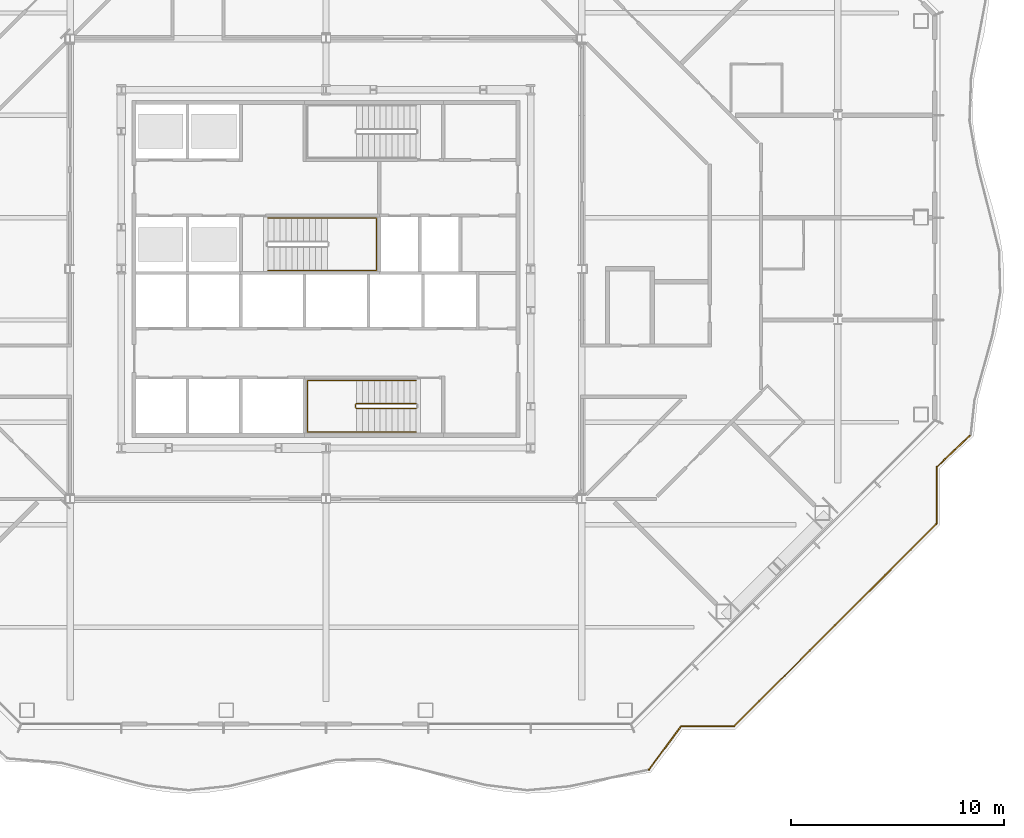
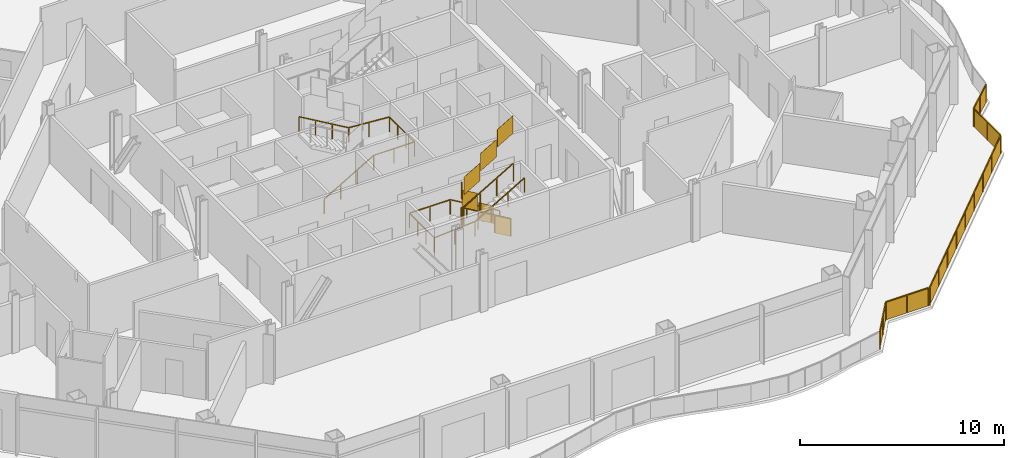
# One storey, part 19 of 24: 8 railings.
"""IFC4 building model written with IfcOpenShell, lengths in metres."""

from ifc_helpers import new_model, si_unit, direction, frame, origin, origin_2d, place, context, subcontext, project, spatial, polyline, rectangle, outline, extrude, material, type_object, element, save


model = new_model("IFC4")

# Units and contexts
model_context = context("Model", 3, precision=1e-05, world=origin(), true_north=direction((0.0, 1.0)))
body_context = subcontext(model_context, "Body", "Model", "MODEL_VIEW")
ifc_project = project(units=[si_unit("LENGTHUNIT", "METRE"), si_unit("AREAUNIT", "SQUARE_METRE"), si_unit("VOLUMEUNIT", "CUBIC_METRE"), si_unit("PLANEANGLEUNIT", "RADIAN"), si_unit("MASSUNIT", "GRAM", prefix="KILO")], contexts=[model_context])

# Site, building, storey
site_placement = place(None, origin())
site = spatial("IfcSite", under=ifc_project, at=site_placement, CompositionType="ELEMENT")
building_placement = place(site_placement, origin())
building = spatial("IfcBuilding", under=site, at=building_placement, Name="Cairn Pilgrim Tower", CompositionType="ELEMENT")
storey_placement = place(building_placement, frame((0.0, 0.0, 125.39990234375)))
storey = spatial("IfcBuildingStorey", under=building, at=storey_placement, Name="L30", CompositionType="ELEMENT", Elevation=125.39990234375)

# Railings
ifc_material_1 = material(Name="Bronze anodised aluminium rail and posts with laminated glass infill", Category="aluminium")
railing_type_1 = type_object("IfcRailingType", Name="BALCONY GUARD 1100", PredefinedType="GUARDRAIL", material=ifc_material_1)
railing_1_placement = place(storey_placement, frame((22.349365234375, -21.0830078125, 0.0)))
element("IfcRailing", 1, at=railing_1_placement, inside=storey, type_object=railing_type_1, Name="Balcony guard BG-1", PredefinedType="GUARDRAIL", context=body_context, shape_type="SweptSolid", body=[
    extrude(rectangle(XDim=0.050048828125, YDim=0.050048828125, at=origin_2d()), frame((0.0, 0.0, 1.0751953125), z_axis=(0.594638505107, 0.803993189177, 0.0), x_axis=(-0.803993189177, 0.594638505107, 0.0)), (0.0, 0.0, 1.0), 2.46875),
    extrude(rectangle(XDim=0.050048828125, YDim=0.050048828125, at=origin_2d()), origin(), (0.0, 0.0, 1.0), 1.050048828125),
    extrude(rectangle(XDim=0.050048828125, YDim=0.050048828125, at=origin_2d()), frame((0.73388671875, 0.992431640625, 0.0)), (0.0, 0.0, 1.0), 1.050048828125),
    extrude(rectangle(XDim=0.050048828125, YDim=0.050048828125, at=origin_2d()), frame((1.468017578125, 1.98486328125, 0.0)), (0.0, 0.0, 1.0), 1.050048828125),
    extrude(outline(polyline([(0.02490234375, 0.0), (1.20947265625, 0.0), (1.20947265625, 1.050048828125), (0.02490234375, 1.050048828125), (0.02490234375, 0.0)])), frame((-0.0048828125, 0.003662109375, 0.0), z_axis=(0.803993189177, -0.594638505107, 0.0), x_axis=(0.594638505107, 0.803993189177, 0.0)), (0.0, 0.0, 1.0), 0.011962890625),
    extrude(outline(polyline([(0.02490234375, 0.0), (1.20947265625, 0.0), (1.20947265625, 1.050048828125), (0.02490234375, 1.050048828125), (0.02490234375, 0.0)])), frame((0.729248046875, 0.99609375, 0.0), z_axis=(0.803993189177, -0.594638505107, 0.0), x_axis=(0.594638505107, 0.803993189177, 0.0)), (0.0, 0.0, 1.0), 0.011962890625),
])
railing_2_placement = place(storey_placement, frame((23.85302734375, -19.050048828125, 0.0)))
element("IfcRailing", 2, at=railing_2_placement, inside=storey, type_object=railing_type_1, Name="Balcony guard BG-2", PredefinedType="GUARDRAIL", context=body_context, shape_type="SweptSolid", body=[
    extrude(rectangle(XDim=0.050048828125, YDim=0.050048828125, at=origin_2d()), frame((0.0, 0.0, 1.0751953125), z_axis=(1.0, 0.0, 0.0), x_axis=(0.0, 1.0, 0.0)), (0.0, 0.0, 1.0), 2.4248046875),
    extrude(rectangle(XDim=0.050048828125, YDim=0.050048828125, at=origin_2d()), origin(), (0.0, 0.0, 1.0), 1.050048828125),
    extrude(rectangle(XDim=0.050048828125, YDim=0.050048828125, at=origin_2d()), frame((1.21240234375, 0.0, 0.0)), (0.0, 0.0, 1.0), 1.050048828125),
    extrude(rectangle(XDim=0.050048828125, YDim=0.050048828125, at=origin_2d()), frame((2.4248046875, 0.0, 0.0)), (0.0, 0.0, 1.0), 1.050048828125),
    extrude(outline(polyline([(0.02490234375, 0.0), (1.1875, 0.0), (1.1875, 1.050048828125), (0.02490234375, 1.050048828125), (0.02490234375, 0.0)])), frame((0.0, 0.005859375, 0.0), z_axis=(0.0, -1.0, 0.0), x_axis=(1.0, 0.0, 0.0)), (0.0, 0.0, 1.0), 0.011962890625),
    extrude(outline(polyline([(0.02490234375, 0.0), (1.1875, 0.0), (1.1875, 1.050048828125), (0.02490234375, 1.050048828125), (0.02490234375, 0.0)])), frame((1.21240234375, 0.005859375, 0.0), z_axis=(0.0, -1.0, 0.0), x_axis=(1.0, 0.0, 0.0)), (0.0, 0.0, 1.0), 0.011962890625),
])
railing_3_placement = place(storey_placement, frame((26.337890625, -19.050048828125, 0.0)))
element("IfcRailing", 3, at=railing_3_placement, inside=storey, type_object=railing_type_1, Name="Balcony guard BG-3", PredefinedType="GUARDRAIL", context=body_context, shape_type="SweptSolid", body=[
    extrude(rectangle(XDim=0.050048828125, YDim=0.050048828125, at=origin_2d()), frame((0.0, 0.0, 1.0751953125), z_axis=(0.707106781187, 0.707106781187, 0.0), x_axis=(-0.707106781187, 0.707106781187, 0.0)), (0.0, 0.0, 1.0), 13.392333984375),
    extrude(rectangle(XDim=0.050048828125, YDim=0.050048828125, at=origin_2d()), origin(), (0.0, 0.0, 1.0), 1.050048828125),
    extrude(rectangle(XDim=0.050048828125, YDim=0.050048828125, at=origin_2d()), frame((1.18359375, 1.18359375, 0.0)), (0.0, 0.0, 1.0), 1.050048828125),
    extrude(rectangle(XDim=0.050048828125, YDim=0.050048828125, at=origin_2d()), frame((2.367431640625, 2.367431640625, 0.0)), (0.0, 0.0, 1.0), 1.050048828125),
    extrude(rectangle(XDim=0.050048828125, YDim=0.050048828125, at=origin_2d()), frame((3.55126953125, 3.55126953125, 0.0)), (0.0, 0.0, 1.0), 1.050048828125),
    extrude(rectangle(XDim=0.050048828125, YDim=0.050048828125, at=origin_2d()), frame((4.73486328125, 4.73486328125, 0.0)), (0.0, 0.0, 1.0), 1.050048828125),
    extrude(rectangle(XDim=0.050048828125, YDim=0.050048828125, at=origin_2d()), frame((5.91845703125, 5.91845703125, 0.0)), (0.0, 0.0, 1.0), 1.050048828125),
    extrude(rectangle(XDim=0.050048828125, YDim=0.050048828125, at=origin_2d()), frame((7.102294921875, 7.102294921875, 0.0)), (0.0, 0.0, 1.0), 1.050048828125),
    extrude(rectangle(XDim=0.050048828125, YDim=0.050048828125, at=origin_2d()), frame((8.2861328125, 8.2861328125, 0.0)), (0.0, 0.0, 1.0), 1.050048828125),
    extrude(rectangle(XDim=0.050048828125, YDim=0.050048828125, at=origin_2d()), frame((9.4697265625, 9.4697265625, 0.0)), (0.0, 0.0, 1.0), 1.050048828125),
    extrude(outline(polyline([(0.02490234375, 0.0), (1.64892578125, 0.0), (1.64892578125, 1.050048828125), (0.02490234375, 1.050048828125), (0.02490234375, 0.0)])), frame((-0.004150390625, 0.004150390625, 0.0), z_axis=(0.707106781187, -0.707106781187, 0.0), x_axis=(0.707106781187, 0.707106781187, 0.0)), (0.0, 0.0, 1.0), 0.011962890625),
    extrude(outline(polyline([(0.02490234375, 0.0), (1.64892578125, 0.0), (1.64892578125, 1.050048828125), (0.02490234375, 1.050048828125), (0.02490234375, 0.0)])), frame((1.179443359375, 1.18798828125, 0.0), z_axis=(0.707106781187, -0.707106781187, 0.0), x_axis=(0.707106781187, 0.707106781187, 0.0)), (0.0, 0.0, 1.0), 0.011962890625),
    extrude(outline(polyline([(0.02490234375, 0.0), (1.64892578125, 0.0), (1.64892578125, 1.050048828125), (0.02490234375, 1.050048828125), (0.02490234375, 0.0)])), frame((2.36328125, 2.37158203125, 0.0), z_axis=(0.707106781187, -0.707106781187, 0.0), x_axis=(0.707106781187, 0.707106781187, 0.0)), (0.0, 0.0, 1.0), 0.011962890625),
    extrude(outline(polyline([(0.02490234375, 0.0), (1.64892578125, 0.0), (1.64892578125, 1.050048828125), (0.02490234375, 1.050048828125), (0.02490234375, 0.0)])), frame((3.546875, 3.555419921875, 0.0), z_axis=(0.707106781187, -0.707106781187, 0.0), x_axis=(0.707106781187, 0.707106781187, 0.0)), (0.0, 0.0, 1.0), 0.011962890625),
    extrude(outline(polyline([(0.02490234375, 0.0), (1.64892578125, 0.0), (1.64892578125, 1.050048828125), (0.02490234375, 1.050048828125), (0.02490234375, 0.0)])), frame((4.730712890625, 4.739013671875, 0.0), z_axis=(0.707106781187, -0.707106781187, 0.0), x_axis=(0.707106781187, 0.707106781187, 0.0)), (0.0, 0.0, 1.0), 0.011962890625),
    extrude(outline(polyline([(0.02490234375, 0.0), (1.64892578125, 0.0), (1.64892578125, 1.050048828125), (0.02490234375, 1.050048828125), (0.02490234375, 0.0)])), frame((5.914306640625, 5.9228515625, 0.0), z_axis=(0.707106781187, -0.707106781187, 0.0), x_axis=(0.707106781187, 0.707106781187, 0.0)), (0.0, 0.0, 1.0), 0.011962890625),
    extrude(outline(polyline([(0.02490234375, 0.0), (1.64892578125, 0.0), (1.64892578125, 1.050048828125), (0.02490234375, 1.050048828125), (0.02490234375, 0.0)])), frame((7.09814453125, 7.1064453125, 0.0), z_axis=(0.707106781187, -0.707106781187, 0.0), x_axis=(0.707106781187, 0.707106781187, 0.0)), (0.0, 0.0, 1.0), 0.011962890625),
    extrude(outline(polyline([(0.02490234375, 0.0), (1.64892578125, 0.0), (1.64892578125, 1.050048828125), (0.02490234375, 1.050048828125), (0.02490234375, 0.0)])), frame((8.28173828125, 8.290283203125, 0.0), z_axis=(0.707106781187, -0.707106781187, 0.0), x_axis=(0.707106781187, 0.707106781187, 0.0)), (0.0, 0.0, 1.0), 0.011962890625),
])
railing_4_placement = place(storey_placement, frame((35.85009765625, -9.537841796875, 0.0)))
element("IfcRailing", 4, at=railing_4_placement, inside=storey, type_object=railing_type_1, Name="Balcony guard BG-4", PredefinedType="GUARDRAIL", context=body_context, shape_type="SweptSolid", body=[
    extrude(rectangle(XDim=0.050048828125, YDim=0.050048828125, at=origin_2d()), frame((0.0, 0.0, 1.0751953125), z_axis=(0.0, 1.0, 0.0), x_axis=(-1.0, 0.0, 0.0)), (0.0, 0.0, 1.0), 2.589599609375),
    extrude(rectangle(XDim=0.050048828125, YDim=0.050048828125, at=origin_2d()), origin(), (0.0, 0.0, 1.0), 1.050048828125),
    extrude(rectangle(XDim=0.050048828125, YDim=0.050048828125, at=origin_2d()), frame((0.0, 1.294921875, 0.0)), (0.0, 0.0, 1.0), 1.050048828125),
    extrude(rectangle(XDim=0.050048828125, YDim=0.050048828125, at=origin_2d()), frame((0.0, 2.589599609375, 0.0)), (0.0, 0.0, 1.0), 1.050048828125),
    extrude(outline(polyline([(0.02490234375, 0.0), (1.269775390625, 0.0), (1.269775390625, 1.050048828125), (0.02490234375, 1.050048828125), (0.02490234375, 0.0)])), frame((-0.005859375, 0.0, 0.0), z_axis=(1.0, 0.0, 0.0), x_axis=(0.0, 1.0, 0.0)), (0.0, 0.0, 1.0), 0.011962890625),
    extrude(outline(polyline([(0.02490234375, 0.0), (1.269775390625, 0.0), (1.269775390625, 1.050048828125), (0.02490234375, 1.050048828125), (0.02490234375, 0.0)])), frame((-0.005859375, 1.294921875, 0.0), z_axis=(1.0, 0.0, 0.0), x_axis=(0.0, 1.0, 0.0)), (0.0, 0.0, 1.0), 0.011962890625),
])
railing_5_placement = place(storey_placement, frame((35.85009765625, -6.888427734375, 0.0)))
element("IfcRailing", 5, at=railing_5_placement, inside=storey, type_object=railing_type_1, Name="Balcony guard BG-5", PredefinedType="GUARDRAIL", context=body_context, shape_type="SweptSolid", body=[
    extrude(rectangle(XDim=0.050048828125, YDim=0.050048828125, at=origin_2d()), frame((0.0, 0.0, 1.0751953125), z_axis=(0.724686761608, 0.689078440781, 0.0), x_axis=(-0.689078440781, 0.724686761608, 0.0)), (0.0, 0.0, 1.0), 2.12548828125),
    extrude(rectangle(XDim=0.050048828125, YDim=0.050048828125, at=origin_2d()), origin(), (0.0, 0.0, 1.0), 1.050048828125),
    extrude(rectangle(XDim=0.050048828125, YDim=0.050048828125, at=origin_2d()), frame((0.77001953125, 0.732421875, 0.0)), (0.0, 0.0, 1.0), 1.050048828125),
    extrude(rectangle(XDim=0.050048828125, YDim=0.050048828125, at=origin_2d()), frame((1.540283203125, 1.464599609375, 0.0)), (0.0, 0.0, 1.0), 1.050048828125),
    extrude(outline(polyline([(0.02490234375, 0.0), (1.03759765625, 0.0), (1.03759765625, 1.050048828125), (0.02490234375, 1.050048828125), (0.02490234375, 0.0)])), frame((-0.004150390625, 0.00439453125, 0.0), z_axis=(0.689078440781, -0.724686761608, 0.0), x_axis=(0.724686761608, 0.689078440781, 0.0)), (0.0, 0.0, 1.0), 0.011962890625),
    extrude(outline(polyline([(0.02490234375, 0.0), (1.03759765625, 0.0), (1.03759765625, 1.050048828125), (0.02490234375, 1.050048828125), (0.02490234375, 0.0)])), frame((0.76611328125, 0.736572265625, 0.0), z_axis=(0.689078440781, -0.724686761608, 0.0), x_axis=(0.724686761608, 0.689078440781, 0.0)), (0.0, 0.0, 1.0), 0.011962890625),
])
ifc_material_2 = material(Name="Painted steel", Category="steel")
railing_type_2 = type_object("IfcRailingType", Name="STAIR GUARD 1100", PredefinedType="GUARDRAIL", material=ifc_material_2)
railing_6_placement = place(storey_placement, frame((11.425048828125, -3.925048828125, 0.163818359375)))
element("IfcRailing", 6, at=railing_6_placement, inside=storey, type_object=railing_type_2, Name="L30 ST-A stair guard 1", PredefinedType="GUARDRAIL", context=body_context, shape_type="SweptSolid", body=[
    extrude(rectangle(XDim=0.048095703125, YDim=0.048095703125, at=origin_2d()), frame((0.0, 0.0, 1.076171875), z_axis=(-0.863393664356, 0.0, 0.504530851732), x_axis=(0.0, -1.0, 0.0)), (0.0, 0.0, 1.0), 3.2431640625),
    extrude(rectangle(XDim=0.048095703125, YDim=0.048095703125, at=origin_2d()), frame((-2.800048828125, 0.0, 2.71240234375), z_axis=(-0.707106781187, -0.707106781187, 0.0), x_axis=(0.707106781187, -0.707106781187, 0.0)), (0.0, 0.0, 1.0), 0.07080078125),
    extrude(rectangle(XDim=0.048095703125, YDim=0.048095703125, at=origin_2d()), frame((-2.85009765625, -0.050048828125, 2.71240234375), z_axis=(0.0, -1.0, 0.0), x_axis=(1.0, 0.0, 0.0)), (0.0, 0.0, 1.0), 0.125),
    extrude(rectangle(XDim=0.048095703125, YDim=0.048095703125, at=origin_2d()), frame((-2.85009765625, -0.175048828125, 2.71240234375), z_axis=(0.280916556609, -0.279546231943, 0.91811752648), x_axis=(0.705375805398, 0.708833529934, 0.0)), (0.0, 0.0, 1.0), 0.17822265625),
    extrude(rectangle(XDim=0.048095703125, YDim=0.048095703125, at=origin_2d()), frame((-2.800048828125, -0.224853515625, 2.8759765625), z_axis=(0.863360870873, 0.0, 0.504586966384), x_axis=(0.0, 1.0, 0.0)), (0.0, 0.0, 1.0), 3.2431640625),
    extrude(rectangle(XDim=0.0419921875, YDim=0.0419921875, at=origin_2d()), origin(), (0.0, 0.0, 1.0), 1.052001953125),
    extrude(rectangle(XDim=0.0419921875, YDim=0.0419921875, at=origin_2d()), frame((-0.933349609375, 0.0, 0.54541015625)), (0.0, 0.0, 1.0), 1.052001953125),
    extrude(rectangle(XDim=0.0419921875, YDim=0.0419921875, at=origin_2d()), frame((-1.86669921875, 0.0, 1.0908203125)), (0.0, 0.0, 1.0), 1.052001953125),
    extrude(rectangle(XDim=0.0419921875, YDim=0.0419921875, at=origin_2d()), frame((-2.800048828125, 0.0, 1.63623046875)), (0.0, 0.0, 1.0), 1.052001953125),
    extrude(rectangle(XDim=0.0419921875, YDim=0.0419921875, at=origin_2d()), frame((-2.85009765625, -0.050048828125, 1.63623046875)), (0.0, 0.0, 1.0), 1.052001953125),
    extrude(rectangle(XDim=0.0419921875, YDim=0.0419921875, at=origin_2d()), frame((-2.85009765625, -0.175048828125, 1.63623046875)), (0.0, 0.0, 1.0), 1.052001953125),
    extrude(rectangle(XDim=0.0419921875, YDim=0.0419921875, at=origin_2d()), frame((-2.800048828125, -0.224853515625, 1.7998046875)), (0.0, 0.0, 1.0), 1.052001953125),
    extrude(rectangle(XDim=0.0419921875, YDim=0.0419921875, at=origin_2d()), frame((-1.86669921875, -0.224853515625, 2.34521484375)), (0.0, 0.0, 1.0), 1.052001953125),
    extrude(rectangle(XDim=0.0419921875, YDim=0.0419921875, at=origin_2d()), frame((-0.933349609375, -0.224853515625, 2.890869140625)), (0.0, 0.0, 1.0), 1.052001953125),
    extrude(rectangle(XDim=0.0419921875, YDim=0.0419921875, at=origin_2d()), frame((0.0, -0.224853515625, 3.436279296875)), (0.0, 0.0, 1.0), 1.052001953125),
    extrude(outline(polyline([(0.02099609375, 0.01220703125), (0.912353515625, 0.533203125), (0.912353515625, 1.585205078125), (0.02099609375, 1.064208984375), (0.02099609375, 0.01220703125)])), frame((0.0, -0.005859375, 0.0), z_axis=(0.0, 1.0, 0.0), x_axis=(-1.0, 0.0, 0.0)), (0.0, 0.0, 1.0), 0.011962890625),
    extrude(outline(polyline([(0.02099609375, 0.5576171875), (0.912353515625, 1.07861328125), (0.912353515625, 2.130615234375), (0.02099609375, 1.609619140625), (0.02099609375, 0.5576171875)])), frame((-0.933349609375, -0.005859375, 0.54541015625), z_axis=(0.0, 1.0, 0.0), x_axis=(-1.0, 0.0, 0.0)), (0.0, 0.0, 1.0), 0.011962890625),
    extrude(outline(polyline([(0.02099609375, 1.10302734375), (0.912353515625, 1.6240234375), (0.912353515625, 2.676025390625), (0.02099609375, 2.155029296875), (0.02099609375, 1.10302734375)])), frame((-1.86669921875, -0.005859375, 1.0908203125), z_axis=(0.0, 1.0, 0.0), x_axis=(-1.0, 0.0, 0.0)), (0.0, 0.0, 1.0), 0.011962890625),
    extrude(outline(polyline([(0.02099609375, 1.63623046875), (0.10400390625, 1.63623046875), (0.10400390625, 2.688232421875), (0.02099609375, 2.688232421875), (0.02099609375, 1.63623046875)])), frame((-2.84423828125, -0.050048828125, 1.63623046875), z_axis=(-1.0, 0.0, 0.0), x_axis=(0.0, -1.0, 0.0)), (0.0, 0.0, 1.0), 0.011962890625),
    extrude(outline(polyline([(0.02099609375, 1.81201171875), (0.912353515625, 2.3330078125), (0.912353515625, 3.385009765625), (0.02099609375, 2.864013671875), (0.02099609375, 1.81201171875)])), frame((-2.800048828125, -0.21875, 1.7998046875), z_axis=(0.0, -1.0, 0.0), x_axis=(1.0, 0.0, 0.0)), (0.0, 0.0, 1.0), 0.011962890625),
    extrude(outline(polyline([(0.02099609375, 2.357666015625), (0.912353515625, 2.87841796875), (0.912353515625, 3.930419921875), (0.02099609375, 3.40966796875), (0.02099609375, 2.357666015625)])), frame((-1.86669921875, -0.21875, 2.34521484375), z_axis=(0.0, -1.0, 0.0), x_axis=(1.0, 0.0, 0.0)), (0.0, 0.0, 1.0), 0.011962890625),
    extrude(outline(polyline([(0.02099609375, 2.903076171875), (0.912353515625, 3.424072265625), (0.912353515625, 4.47607421875), (0.02099609375, 3.955078125), (0.02099609375, 2.903076171875)])), frame((-0.933349609375, -0.21875, 2.890869140625), z_axis=(0.0, -1.0, 0.0), x_axis=(1.0, 0.0, 0.0)), (0.0, 0.0, 1.0), 0.011962890625),
])
railing_type_3 = type_object("IfcRailingType", Name="STAIR HANDRAIL 900", PredefinedType="HANDRAIL", material=ifc_material_2)
railing_7_placement = place(storey_placement, frame((11.425048828125, -2.824951171875, 0.163818359375)))
element("IfcRailing", 7, at=railing_7_placement, inside=storey, type_object=railing_type_3, Name="L30 ST-A stair handrail 1", PredefinedType="HANDRAIL", context=body_context, shape_type="SweptSolid", body=[
    extrude(rectangle(XDim=0.048095703125, YDim=0.048095703125, at=origin_2d()), frame((0.0, 0.0, 0.8759765625), z_axis=(-0.863393664356, 0.0, 0.504530851732), x_axis=(0.0, -1.0, 0.0)), (0.0, 0.0, 1.0), 3.2431640625),
    extrude(rectangle(XDim=0.048095703125, YDim=0.048095703125, at=origin_2d()), frame((-2.800048828125, 0.0, 2.51220703125), z_axis=(-1.0, 0.0, 0.0), x_axis=(0.0, -1.0, 0.0)), (0.0, 0.0, 1.0), 2.300048828125),
    extrude(rectangle(XDim=0.048095703125, YDim=0.048095703125, at=origin_2d()), frame((-5.10009765625, 0.0, 2.51220703125), z_axis=(0.0, -1.0, 0.0), x_axis=(1.0, 0.0, 0.0)), (0.0, 0.0, 1.0), 2.425048828125),
    extrude(rectangle(XDim=0.048095703125, YDim=0.048095703125, at=origin_2d()), frame((-5.10009765625, -2.425048828125, 2.51220703125), z_axis=(0.997480687736, 0.0, 0.070938548008), x_axis=(0.0, 1.0, 0.0)), (0.0, 0.0, 1.0), 2.305908203125),
    extrude(rectangle(XDim=0.048095703125, YDim=0.048095703125, at=origin_2d()), frame((-2.800048828125, -2.425048828125, 2.67578125), z_axis=(0.863360870873, 0.0, 0.504586966384), x_axis=(0.0, 1.0, 0.0)), (0.0, 0.0, 1.0), 3.2431640625),
    extrude(rectangle(XDim=0.0419921875, YDim=0.0419921875, at=origin_2d()), origin(), (0.0, 0.0, 1.0), 0.851806640625),
    extrude(rectangle(XDim=0.0419921875, YDim=0.0419921875, at=origin_2d()), frame((-0.933349609375, 0.0, 0.54541015625)), (0.0, 0.0, 1.0), 0.851806640625),
    extrude(rectangle(XDim=0.0419921875, YDim=0.0419921875, at=origin_2d()), frame((-1.86669921875, 0.0, 1.0908203125)), (0.0, 0.0, 1.0), 0.851806640625),
    extrude(rectangle(XDim=0.0419921875, YDim=0.0419921875, at=origin_2d()), frame((-2.800048828125, 0.0, 1.63623046875)), (0.0, 0.0, 1.0), 0.851806640625),
    extrude(rectangle(XDim=0.0419921875, YDim=0.0419921875, at=origin_2d()), frame((-3.9501953125, 0.0, 1.63623046875)), (0.0, 0.0, 1.0), 0.851806640625),
    extrude(rectangle(XDim=0.0419921875, YDim=0.0419921875, at=origin_2d()), frame((-5.10009765625, 0.0, 1.63623046875)), (0.0, 0.0, 1.0), 0.851806640625),
    extrude(rectangle(XDim=0.0419921875, YDim=0.0419921875, at=origin_2d()), frame((-5.10009765625, -0.808349609375, 1.63623046875)), (0.0, 0.0, 1.0), 0.851806640625),
    extrude(rectangle(XDim=0.0419921875, YDim=0.0419921875, at=origin_2d()), frame((-5.10009765625, -1.61669921875, 1.63623046875)), (0.0, 0.0, 1.0), 0.851806640625),
    extrude(rectangle(XDim=0.0419921875, YDim=0.0419921875, at=origin_2d()), frame((-5.10009765625, -2.425048828125, 1.63623046875)), (0.0, 0.0, 1.0), 0.851806640625),
    extrude(rectangle(XDim=0.0419921875, YDim=0.0419921875, at=origin_2d()), frame((-3.9501953125, -2.425048828125, 1.718017578125)), (0.0, 0.0, 1.0), 0.851806640625),
    extrude(rectangle(XDim=0.0419921875, YDim=0.0419921875, at=origin_2d()), frame((-2.800048828125, -2.425048828125, 1.7998046875)), (0.0, 0.0, 1.0), 0.851806640625),
    extrude(rectangle(XDim=0.0419921875, YDim=0.0419921875, at=origin_2d()), frame((-1.86669921875, -2.425048828125, 2.34521484375)), (0.0, 0.0, 1.0), 0.851806640625),
    extrude(rectangle(XDim=0.0419921875, YDim=0.0419921875, at=origin_2d()), frame((-0.933349609375, -2.425048828125, 2.890869140625)), (0.0, 0.0, 1.0), 0.851806640625),
    extrude(rectangle(XDim=0.0419921875, YDim=0.0419921875, at=origin_2d()), frame((0.0, -2.425048828125, 3.436279296875)), (0.0, 0.0, 1.0), 0.851806640625),
])
railing_8_placement = place(storey_placement, frame((4.47509765625, 2.324951171875, 0.163818359375)))
element("IfcRailing", 8, at=railing_8_placement, inside=storey, type_object=railing_type_3, Name="L30 ST-B stair handrail 1", PredefinedType="HANDRAIL", context=body_context, shape_type="SweptSolid", body=[
    extrude(rectangle(XDim=0.048095703125, YDim=0.048095703125, at=origin_2d()), frame((0.0, 0.0, 0.8759765625), z_axis=(0.863374499697, 0.0, 0.504563646405), x_axis=(0.0, 1.0, 0.0)), (0.0, 0.0, 1.0), 3.242919921875),
    extrude(rectangle(XDim=0.048095703125, YDim=0.048095703125, at=origin_2d()), frame((2.7998046875, 0.0, 2.51220703125), z_axis=(1.0, 0.0, 0.0), x_axis=(0.0, 1.0, 0.0)), (0.0, 0.0, 1.0), 2.300048828125),
    extrude(rectangle(XDim=0.048095703125, YDim=0.048095703125, at=origin_2d()), frame((5.099853515625, 0.0, 2.51220703125), z_axis=(0.0, 1.0, 0.0), x_axis=(-1.0, 0.0, 0.0)), (0.0, 0.0, 1.0), 2.449951171875),
    extrude(rectangle(XDim=0.048095703125, YDim=0.048095703125, at=origin_2d()), frame((5.099853515625, 2.449951171875, 2.51220703125), z_axis=(-0.997480687736, 0.0, 0.070938548008), x_axis=(0.0, -1.0, 0.0)), (0.0, 0.0, 1.0), 2.305908203125),
    extrude(rectangle(XDim=0.048095703125, YDim=0.048095703125, at=origin_2d()), frame((2.7998046875, 2.449951171875, 2.67578125), z_axis=(-0.863341702679, 0.0, 0.504619762213), x_axis=(0.0, -1.0, 0.0)), (0.0, 0.0, 1.0), 3.242919921875),
    extrude(rectangle(XDim=0.0419921875, YDim=0.0419921875, at=origin_2d()), origin(), (0.0, 0.0, 1.0), 0.851806640625),
    extrude(rectangle(XDim=0.0419921875, YDim=0.0419921875, at=origin_2d()), frame((0.933349609375, 0.0, 0.54541015625)), (0.0, 0.0, 1.0), 0.851806640625),
    extrude(rectangle(XDim=0.0419921875, YDim=0.0419921875, at=origin_2d()), frame((1.866455078125, 0.0, 1.0908203125)), (0.0, 0.0, 1.0), 0.851806640625),
    extrude(rectangle(XDim=0.0419921875, YDim=0.0419921875, at=origin_2d()), frame((2.7998046875, 0.0, 1.63623046875)), (0.0, 0.0, 1.0), 0.851806640625),
    extrude(rectangle(XDim=0.0419921875, YDim=0.0419921875, at=origin_2d()), frame((3.94970703125, 0.0, 1.63623046875)), (0.0, 0.0, 1.0), 0.851806640625),
    extrude(rectangle(XDim=0.0419921875, YDim=0.0419921875, at=origin_2d()), frame((5.099853515625, 0.0, 1.63623046875)), (0.0, 0.0, 1.0), 0.851806640625),
    extrude(rectangle(XDim=0.0419921875, YDim=0.0419921875, at=origin_2d()), frame((5.099853515625, 0.816650390625, 1.63623046875)), (0.0, 0.0, 1.0), 0.851806640625),
    extrude(rectangle(XDim=0.0419921875, YDim=0.0419921875, at=origin_2d()), frame((5.099853515625, 1.63330078125, 1.63623046875)), (0.0, 0.0, 1.0), 0.851806640625),
    extrude(rectangle(XDim=0.0419921875, YDim=0.0419921875, at=origin_2d()), frame((5.099853515625, 2.449951171875, 1.63623046875)), (0.0, 0.0, 1.0), 0.851806640625),
    extrude(rectangle(XDim=0.0419921875, YDim=0.0419921875, at=origin_2d()), frame((3.94970703125, 2.449951171875, 1.718017578125)), (0.0, 0.0, 1.0), 0.851806640625),
    extrude(rectangle(XDim=0.0419921875, YDim=0.0419921875, at=origin_2d()), frame((2.7998046875, 2.449951171875, 1.7998046875)), (0.0, 0.0, 1.0), 0.851806640625),
    extrude(rectangle(XDim=0.0419921875, YDim=0.0419921875, at=origin_2d()), frame((1.866455078125, 2.449951171875, 2.34521484375)), (0.0, 0.0, 1.0), 0.851806640625),
    extrude(rectangle(XDim=0.0419921875, YDim=0.0419921875, at=origin_2d()), frame((0.933349609375, 2.449951171875, 2.890869140625)), (0.0, 0.0, 1.0), 0.851806640625),
    extrude(rectangle(XDim=0.0419921875, YDim=0.0419921875, at=origin_2d()), frame((0.0, 2.449951171875, 3.436279296875)), (0.0, 0.0, 1.0), 0.851806640625),
])

save(model, "model.ifc")
